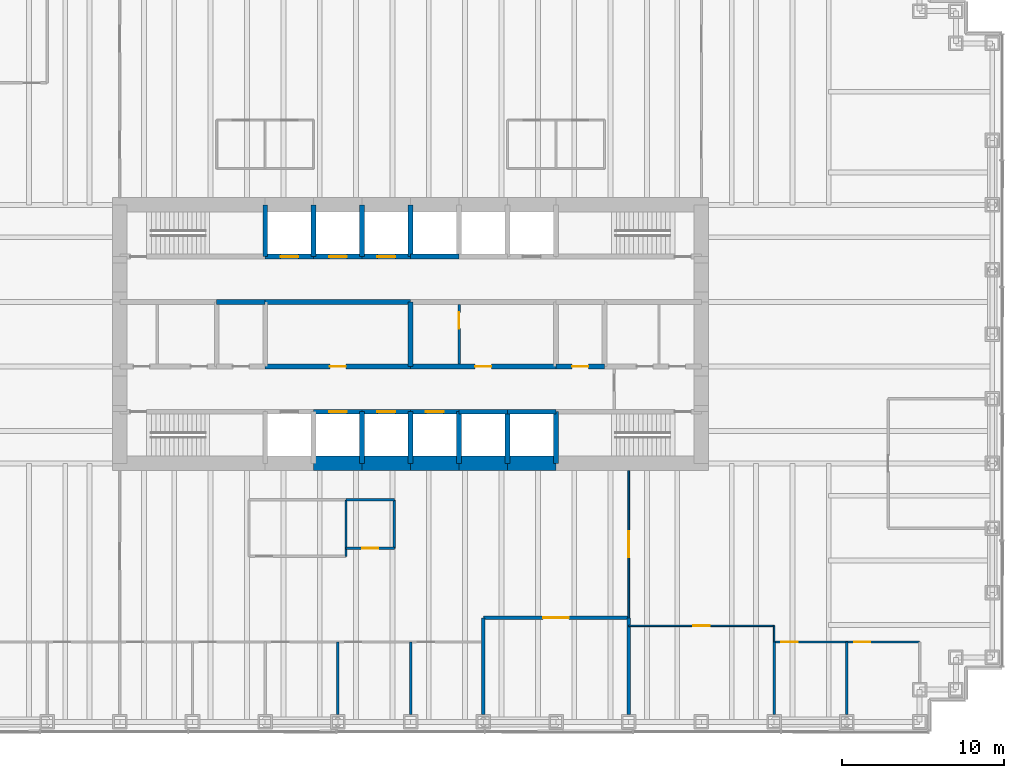
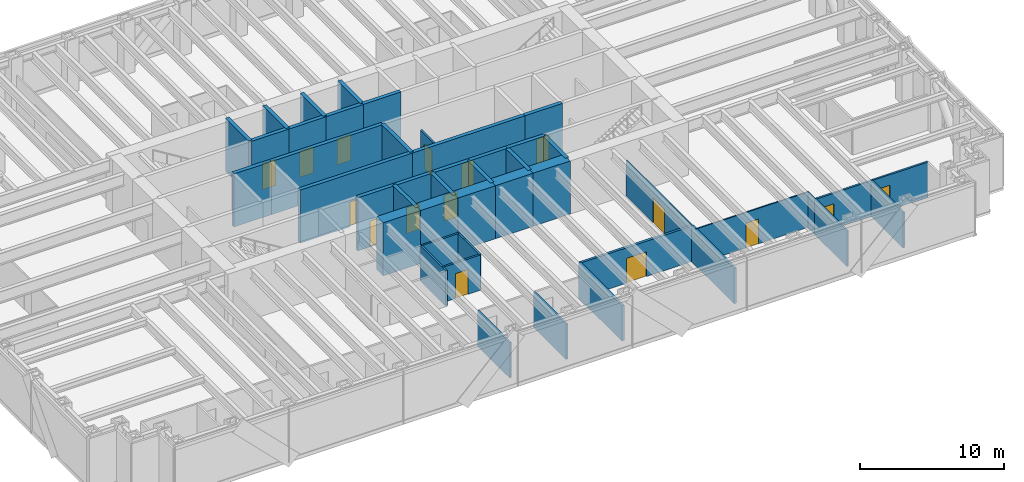
# One storey, part 10 of 13: 45 walls, 16 doors, 16 openings.
"""IFC4 building model written with IfcOpenShell, lengths in metres."""

from ifc_helpers import new_model, si_unit, direction, frame, frame_2d, origin, place, context, subcontext, project, spatial, rectangle, extrude, material, layer, layer_set, type_object, element, fill, save


model = new_model("IFC4")

# Units and contexts
model_context = context("Model", 3, precision=1e-05, world=origin(), true_north=direction((0.0, 1.0)))
body_context = subcontext(model_context, "Body", "Model", "MODEL_VIEW")
ifc_project = project(units=[si_unit("LENGTHUNIT", "METRE"), si_unit("AREAUNIT", "SQUARE_METRE"), si_unit("VOLUMEUNIT", "CUBIC_METRE"), si_unit("PLANEANGLEUNIT", "RADIAN"), si_unit("MASSUNIT", "GRAM", prefix="KILO")], contexts=[model_context])

# Site, building, storey
site_placement = place(None, origin())
site = spatial("IfcSite", under=ifc_project, at=site_placement, CompositionType="ELEMENT")
building_placement = place(site_placement, origin())
building = spatial("IfcBuilding", under=site, at=building_placement, Name="Rheinbord Bourse Tower", CompositionType="ELEMENT")
storey_placement = place(building_placement, frame((0.0, 0.0, 86.0)))
storey = spatial("IfcBuildingStorey", under=building, at=storey_placement, Name="L18", CompositionType="ELEMENT", Elevation=86.0)

# Wall, opening, door
ifc_material_1 = material(Name="Acoustic gypsum board partition", Category="gypsum board")
ifc_layer_1 = layer(ifc_material_1, 0.199951171875)
ifc_layer_set_1 = layer_set([ifc_layer_1], Name="ACOUSTIC PARTITION 200")
wall_type_1 = type_object("IfcWallType", Name="ACOUSTIC PARTITION 200", PredefinedType="PARTITIONING", material=ifc_layer_set_1)
wall_1_placement = place(storey_placement, frame((40.5, 6.449951171875, 0.0), z_axis=(0.0, 0.0, 1.0), x_axis=(1.0, 0.0, 0.0)))
wall_1 = element("IfcWall", 1, at=wall_1_placement, inside=storey, type_object=wall_type_1, Name="Partition L18-04", PredefinedType="PARTITIONING", context=body_context, shape_type="SweptSolid", body=[
    extrude(rectangle(XDim=9.0, YDim=0.199951171875, at=frame_2d((4.5, 0.0))), origin(), (0.0, 0.0, 1.0), 3.0),
])
opening_1_placement = place(wall_1_placement, frame((3.699951171875, 0.0, 0.0)))
opening_1 = element("IfcOpeningElement", 2, at=opening_1_placement, cuts=wall_1, Name="Opening 18D12", PredefinedType="OPENING", context=body_context, shape_type="SweptSolid", body=[
    extrude(rectangle(XDim=1.60009765625, YDim=2.10009765625, at=frame_2d((0.800048828125, 1.050048828125))), frame((0.0, 0.10986328125, 0.0), z_axis=(0.0, -1.0, 0.0), x_axis=(1.0, 0.0, 0.0)), (0.0, 0.0, 1.0), 0.219970703125),
])
ifc_material_2 = material(Name="Timber door", Category="wood")
door_type_1 = type_object("IfcDoorType", Name="DOUBLE ROOM DOOR 1600", OperationType="DOUBLE_DOOR_DOUBLE_SWING", PredefinedType="DOOR", material=ifc_material_2)
door_1_placement = place(opening_1_placement, origin())
door_1 = element("IfcDoor", 3, at=door_1_placement, inside=storey, type_object=door_type_1, Name="Broadcast studio door L18", OperationType="SINGLE_SWING_LEFT", OverallHeight=2.10009765625, OverallWidth=1.60009765625, PredefinedType="DOOR", context=body_context, shape_type="SweptSolid", body=[
    extrude(rectangle(XDim=1.60009765625, YDim=2.10009765625, at=frame_2d((0.800048828125, 1.050048828125))), frame((0.0, 0.02490234375, 0.0), z_axis=(0.0, -1.0, 0.0), x_axis=(1.0, 0.0, 0.0)), (0.0, 0.0, 1.0), 0.050048828125),
])
fill(opening_1, door_1)

# Walls
for number, where, z_axis, x_axis, name in (
    (4, (40.5, 0.449951171875, 0.0), (0.0, 0.0, 1.0), (0.0, 1.0, 0.0), "Partition L18-37"),
    (5, (49.5, 0.449951171875, 0.0), (0.0, 0.0, 1.0), (0.0, 1.0, 0.0), "Partition L18-41"),
):
    element("IfcWall", number, at=place(storey_placement, frame(where, z_axis=z_axis, x_axis=x_axis)), inside=storey, type_object=wall_type_1, Name=name, PredefinedType="PARTITIONING", context=body_context, shape_type="SweptSolid", body=[
        extrude(rectangle(XDim=6.0, YDim=0.199951171875, at=frame_2d((3.0, 0.0))), origin(), (0.0, 0.0, 1.0), 3.0),
    ])

# Wall, opening, door
ifc_material_3 = material(Name="Concrete C50/60", Category="concrete")
ifc_layer_2 = layer(ifc_material_3, 0.300048828125)
ifc_layer_set_2 = layer_set([ifc_layer_2], Name="CORE INNER WALL 300")
wall_type_2 = type_object("IfcWallType", Name="CORE INNER WALL 300", PredefinedType="SOLIDWALL", material=ifc_layer_set_2)
wall_2_placement = place(storey_placement, frame((30.0, 19.199951171875, 0.0), z_axis=(0.0, 0.0, 1.0), x_axis=(1.0, 0.0, 0.0)))
wall_2 = element("IfcWall", 6, at=wall_2_placement, inside=storey, type_object=wall_type_2, Name="Core wall A3 L18", PredefinedType="SOLIDWALL", context=body_context, shape_type="SweptSolid", body=[
    extrude(rectangle(XDim=3.0, YDim=0.300048828125, at=frame_2d((1.5, 0.0))), origin(), (0.0, 0.0, 1.0), 4.5),
])
opening_2_placement = place(wall_2_placement, frame((0.949951171875, 0.0, 0.0)))
opening_2 = element("IfcOpeningElement", 7, at=opening_2_placement, cuts=wall_2, Name="Opening PA1", PredefinedType="OPENING", context=body_context, shape_type="SweptSolid", body=[
    extrude(rectangle(XDim=1.10009765625, YDim=2.199951171875, at=frame_2d((0.550048828125, 1.10009765625))), frame((0.0, 0.159912109375, 0.0), z_axis=(0.0, -1.0, 0.0), x_axis=(1.0, 0.0, 0.0)), (0.0, 0.0, 1.0), 0.320068359375),
])
ifc_material_4 = material(Name="Steel landing door", Category="steel")
door_type_2 = type_object("IfcDoorType", Name="LIFT LANDING DOOR 1100", OperationType="DOUBLE_DOOR_SLIDING", PredefinedType="USERDEFINED", material=ifc_material_4)
door_2_placement = place(opening_2_placement, origin())
door_2 = element("IfcDoor", 8, at=door_2_placement, inside=storey, type_object=door_type_2, Name="Lift landing door PA1 L18", ObjectType="LIFT LANDING DOOR", OperationType="DOUBLE_DOOR_SLIDING", OverallHeight=2.199951171875, OverallWidth=1.10009765625, PredefinedType="USERDEFINED", context=body_context, shape_type="SweptSolid", body=[
    extrude(rectangle(XDim=1.10009765625, YDim=2.199951171875, at=frame_2d((0.550048828125, 1.10009765625))), frame((0.0, 0.02490234375, 0.0), z_axis=(0.0, -1.0, 0.0), x_axis=(1.0, 0.0, 0.0)), (0.0, 0.0, 1.0), 0.050048828125),
])
fill(opening_2, door_2)

wall_3_placement = place(storey_placement, frame((33.0, 19.199951171875, 0.0), z_axis=(0.0, 0.0, 1.0), x_axis=(1.0, 0.0, 0.0)))
wall_3 = element("IfcWall", 9, at=wall_3_placement, inside=storey, type_object=wall_type_2, Name="Core wall A4 L18", PredefinedType="SOLIDWALL", context=body_context, shape_type="SweptSolid", body=[
    extrude(rectangle(XDim=3.0, YDim=0.300048828125, at=frame_2d((1.5, 0.0))), origin(), (0.0, 0.0, 1.0), 4.5),
])
opening_3_placement = place(wall_3_placement, frame((0.949951171875, 0.0, 0.0)))
opening_3 = element("IfcOpeningElement", 10, at=opening_3_placement, cuts=wall_3, Name="Opening PA2", PredefinedType="OPENING", context=body_context, shape_type="SweptSolid", body=[
    extrude(rectangle(XDim=1.10009765625, YDim=2.199951171875, at=frame_2d((0.550048828125, 1.10009765625))), frame((0.0, 0.159912109375, 0.0), z_axis=(0.0, -1.0, 0.0), x_axis=(1.0, 0.0, 0.0)), (0.0, 0.0, 1.0), 0.320068359375),
])
door_3_placement = place(opening_3_placement, origin())
door_3 = element("IfcDoor", 11, at=door_3_placement, inside=storey, type_object=door_type_2, Name="Lift landing door PA2 L18", ObjectType="LIFT LANDING DOOR", OperationType="DOUBLE_DOOR_SLIDING", OverallHeight=2.199951171875, OverallWidth=1.10009765625, PredefinedType="USERDEFINED", context=body_context, shape_type="SweptSolid", body=[
    extrude(rectangle(XDim=1.10009765625, YDim=2.199951171875, at=frame_2d((0.550048828125, 1.10009765625))), frame((0.0, 0.02490234375, 0.0), z_axis=(0.0, -1.0, 0.0), x_axis=(1.0, 0.0, 0.0)), (0.0, 0.0, 1.0), 0.050048828125),
])
fill(opening_3, door_3)

wall_4_placement = place(storey_placement, frame((36.0, 19.199951171875, 0.0), z_axis=(0.0, 0.0, 1.0), x_axis=(1.0, 0.0, 0.0)))
wall_4 = element("IfcWall", 12, at=wall_4_placement, inside=storey, type_object=wall_type_2, Name="Core wall A5 L18", PredefinedType="SOLIDWALL", context=body_context, shape_type="SweptSolid", body=[
    extrude(rectangle(XDim=3.0, YDim=0.300048828125, at=frame_2d((1.5, 0.0))), origin(), (0.0, 0.0, 1.0), 4.5),
])
opening_4_placement = place(wall_4_placement, frame((0.949951171875, 0.0, 0.0)))
opening_4 = element("IfcOpeningElement", 13, at=opening_4_placement, cuts=wall_4, Name="Opening PA3", PredefinedType="OPENING", context=body_context, shape_type="SweptSolid", body=[
    extrude(rectangle(XDim=1.10009765625, YDim=2.199951171875, at=frame_2d((0.550048828125, 1.10009765625))), frame((0.0, 0.159912109375, 0.0), z_axis=(0.0, -1.0, 0.0), x_axis=(1.0, 0.0, 0.0)), (0.0, 0.0, 1.0), 0.320068359375),
])
door_4_placement = place(opening_4_placement, origin())
door_4 = element("IfcDoor", 14, at=door_4_placement, inside=storey, type_object=door_type_2, Name="Lift landing door PA3 L18", ObjectType="LIFT LANDING DOOR", OperationType="DOUBLE_DOOR_SLIDING", OverallHeight=2.199951171875, OverallWidth=1.10009765625, PredefinedType="USERDEFINED", context=body_context, shape_type="SweptSolid", body=[
    extrude(rectangle(XDim=1.10009765625, YDim=2.199951171875, at=frame_2d((0.550048828125, 1.10009765625))), frame((0.0, 0.02490234375, 0.0), z_axis=(0.0, -1.0, 0.0), x_axis=(1.0, 0.0, 0.0)), (0.0, 0.0, 1.0), 0.050048828125),
])
fill(opening_4, door_4)

# Walls
for number, where, z_axis, x_axis, name in (
    (15, (39.0, 19.199951171875, 0.0), (0.0, 0.0, 1.0), (1.0, 0.0, 0.0), "Core wall A6 L18"),
    (16, (42.0, 19.199951171875, 0.0), (0.0, 0.0, 1.0), (1.0, 0.0, 0.0), "Core wall A7 L18"),
):
    element("IfcWall", number, at=place(storey_placement, frame(where, z_axis=z_axis, x_axis=x_axis)), inside=storey, type_object=wall_type_2, Name=name, PredefinedType="SOLIDWALL", context=body_context, shape_type="SweptSolid", body=[
        extrude(rectangle(XDim=3.0, YDim=0.300048828125, at=frame_2d((1.5, 0.0))), origin(), (0.0, 0.0, 1.0), 4.5),
    ])

# Wall, opening, door
wall_5_placement = place(storey_placement, frame((27.0, 28.800048828125, 0.0), z_axis=(0.0, 0.0, 1.0), x_axis=(1.0, 0.0, 0.0)))
wall_5 = element("IfcWall", 17, at=wall_5_placement, inside=storey, type_object=wall_type_2, Name="Core wall B2 L18", PredefinedType="SOLIDWALL", context=body_context, shape_type="SweptSolid", body=[
    extrude(rectangle(XDim=3.0, YDim=0.300048828125, at=frame_2d((1.5, 0.0))), origin(), (0.0, 0.0, 1.0), 4.5),
])
opening_5_placement = place(wall_5_placement, frame((0.949951171875, 0.0, 0.0)))
opening_5 = element("IfcOpeningElement", 18, at=opening_5_placement, cuts=wall_5, Name="Opening GL1", PredefinedType="OPENING", context=body_context, shape_type="SweptSolid", body=[
    extrude(rectangle(XDim=1.10009765625, YDim=2.199951171875, at=frame_2d((0.550048828125, 1.10009765625))), frame((0.0, 0.159912109375, 0.0), z_axis=(0.0, -1.0, 0.0), x_axis=(1.0, 0.0, 0.0)), (0.0, 0.0, 1.0), 0.320068359375),
])
door_5_placement = place(opening_5_placement, origin())
door_5 = element("IfcDoor", 19, at=door_5_placement, inside=storey, type_object=door_type_2, Name="Lift landing door GL1 L18", ObjectType="LIFT LANDING DOOR", OperationType="DOUBLE_DOOR_SLIDING", OverallHeight=2.199951171875, OverallWidth=1.10009765625, PredefinedType="USERDEFINED", context=body_context, shape_type="SweptSolid", body=[
    extrude(rectangle(XDim=1.10009765625, YDim=2.199951171875, at=frame_2d((0.550048828125, 1.10009765625))), frame((0.0, 0.02490234375, 0.0), z_axis=(0.0, -1.0, 0.0), x_axis=(1.0, 0.0, 0.0)), (0.0, 0.0, 1.0), 0.050048828125),
])
fill(opening_5, door_5)

wall_6_placement = place(storey_placement, frame((30.0, 28.800048828125, 0.0), z_axis=(0.0, 0.0, 1.0), x_axis=(1.0, 0.0, 0.0)))
wall_6 = element("IfcWall", 20, at=wall_6_placement, inside=storey, type_object=wall_type_2, Name="Core wall B3 L18", PredefinedType="SOLIDWALL", context=body_context, shape_type="SweptSolid", body=[
    extrude(rectangle(XDim=3.0, YDim=0.300048828125, at=frame_2d((1.5, 0.0))), origin(), (0.0, 0.0, 1.0), 4.5),
])
opening_6_placement = place(wall_6_placement, frame((0.949951171875, 0.0, 0.0)))
opening_6 = element("IfcOpeningElement", 21, at=opening_6_placement, cuts=wall_6, Name="Opening PA4", PredefinedType="OPENING", context=body_context, shape_type="SweptSolid", body=[
    extrude(rectangle(XDim=1.10009765625, YDim=2.199951171875, at=frame_2d((0.550048828125, 1.10009765625))), frame((0.0, 0.159912109375, 0.0), z_axis=(0.0, -1.0, 0.0), x_axis=(1.0, 0.0, 0.0)), (0.0, 0.0, 1.0), 0.320068359375),
])
door_6_placement = place(opening_6_placement, origin())
door_6 = element("IfcDoor", 22, at=door_6_placement, inside=storey, type_object=door_type_2, Name="Lift landing door PA4 L18", ObjectType="LIFT LANDING DOOR", OperationType="DOUBLE_DOOR_SLIDING", OverallHeight=2.199951171875, OverallWidth=1.10009765625, PredefinedType="USERDEFINED", context=body_context, shape_type="SweptSolid", body=[
    extrude(rectangle(XDim=1.10009765625, YDim=2.199951171875, at=frame_2d((0.550048828125, 1.10009765625))), frame((0.0, 0.02490234375, 0.0), z_axis=(0.0, -1.0, 0.0), x_axis=(1.0, 0.0, 0.0)), (0.0, 0.0, 1.0), 0.050048828125),
])
fill(opening_6, door_6)

wall_7_placement = place(storey_placement, frame((33.0, 28.800048828125, 0.0), z_axis=(0.0, 0.0, 1.0), x_axis=(1.0, 0.0, 0.0)))
wall_7 = element("IfcWall", 23, at=wall_7_placement, inside=storey, type_object=wall_type_2, Name="Core wall B4 L18", PredefinedType="SOLIDWALL", context=body_context, shape_type="SweptSolid", body=[
    extrude(rectangle(XDim=3.0, YDim=0.300048828125, at=frame_2d((1.5, 0.0))), origin(), (0.0, 0.0, 1.0), 4.5),
])
opening_7_placement = place(wall_7_placement, frame((0.949951171875, 0.0, 0.0)))
opening_7 = element("IfcOpeningElement", 24, at=opening_7_placement, cuts=wall_7, Name="Opening PA5", PredefinedType="OPENING", context=body_context, shape_type="SweptSolid", body=[
    extrude(rectangle(XDim=1.10009765625, YDim=2.199951171875, at=frame_2d((0.550048828125, 1.10009765625))), frame((0.0, 0.159912109375, 0.0), z_axis=(0.0, -1.0, 0.0), x_axis=(1.0, 0.0, 0.0)), (0.0, 0.0, 1.0), 0.320068359375),
])
door_7_placement = place(opening_7_placement, origin())
door_7 = element("IfcDoor", 25, at=door_7_placement, inside=storey, type_object=door_type_2, Name="Lift landing door PA5 L18", ObjectType="LIFT LANDING DOOR", OperationType="DOUBLE_DOOR_SLIDING", OverallHeight=2.199951171875, OverallWidth=1.10009765625, PredefinedType="USERDEFINED", context=body_context, shape_type="SweptSolid", body=[
    extrude(rectangle(XDim=1.10009765625, YDim=2.199951171875, at=frame_2d((0.550048828125, 1.10009765625))), frame((0.0, 0.02490234375, 0.0), z_axis=(0.0, -1.0, 0.0), x_axis=(1.0, 0.0, 0.0)), (0.0, 0.0, 1.0), 0.050048828125),
])
fill(opening_7, door_7)

# Wall
wall_8_placement = place(storey_placement, frame((36.0, 28.800048828125, 0.0), z_axis=(0.0, 0.0, 1.0), x_axis=(1.0, 0.0, 0.0)))
element("IfcWall", 26, at=wall_8_placement, inside=storey, type_object=wall_type_2, Name="Core wall B5 L18", PredefinedType="SOLIDWALL", context=body_context, shape_type="SweptSolid", body=[
    extrude(rectangle(XDim=3.0, YDim=0.300048828125, at=frame_2d((1.5, 0.0))), origin(), (0.0, 0.0, 1.0), 4.5),
])

# Wall, opening, door
wall_9_placement = place(storey_placement, frame((27.0, 22.0, 0.0), z_axis=(0.0, 0.0, 1.0), x_axis=(1.0, 0.0, 0.0)))
wall_9 = element("IfcWall", 27, at=wall_9_placement, inside=storey, type_object=wall_type_2, Name="Core wall C3 L18", PredefinedType="SOLIDWALL", context=body_context, shape_type="SweptSolid", body=[
    extrude(rectangle(XDim=9.0, YDim=0.300048828125, at=frame_2d((4.5, 0.0))), origin(), (0.0, 0.0, 1.0), 4.5),
])
opening_8_placement = place(wall_9_placement, frame((4.0, 0.0, 0.0)))
opening_8 = element("IfcOpeningElement", 28, at=opening_8_placement, cuts=wall_9, Name="Opening 18R3", PredefinedType="OPENING", context=body_context, shape_type="SweptSolid", body=[
    extrude(rectangle(XDim=1.0, YDim=2.10009765625, at=frame_2d((0.5, 1.050048828125))), frame((0.0, 0.159912109375, 0.0), z_axis=(0.0, -1.0, 0.0), x_axis=(1.0, 0.0, 0.0)), (0.0, 0.0, 1.0), 0.320068359375),
])
ifc_material_5 = material(Name="Steel door", Category="steel")
door_type_3 = type_object("IfcDoorType", Name="DOOR 1000 EI30", OperationType="SINGLE_SWING_LEFT", PredefinedType="DOOR", material=ifc_material_5)
door_8_placement = place(opening_8_placement, origin())
door_8 = element("IfcDoor", 29, at=door_8_placement, inside=storey, type_object=door_type_3, Name="Riser door L18", OperationType="SINGLE_SWING_LEFT", OverallHeight=2.10009765625, OverallWidth=1.0, PredefinedType="DOOR", context=body_context, shape_type="SweptSolid", body=[
    extrude(rectangle(XDim=1.0, YDim=2.10009765625, at=frame_2d((0.5, 1.050048828125))), frame((0.0, 0.02490234375, 0.0), z_axis=(0.0, -1.0, 0.0), x_axis=(1.0, 0.0, 0.0)), (0.0, 0.0, 1.0), 0.050048828125),
])
fill(opening_8, door_8)

wall_10_placement = place(storey_placement, frame((36.0, 22.0, 0.0), z_axis=(0.0, 0.0, 1.0), x_axis=(1.0, 0.0, 0.0)))
wall_10 = element("IfcWall", 30, at=wall_10_placement, inside=storey, type_object=wall_type_2, Name="Core wall C4 L18", PredefinedType="SOLIDWALL", context=body_context, shape_type="SweptSolid", body=[
    extrude(rectangle(XDim=9.0, YDim=0.300048828125, at=frame_2d((4.5, 0.0))), origin(), (0.0, 0.0, 1.0), 4.5),
])
opening_9_placement = place(wall_10_placement, frame((4.0, 0.0, 0.0)))
opening_9 = element("IfcOpeningElement", 31, at=opening_9_placement, cuts=wall_10, Name="Opening 18R4", PredefinedType="OPENING", context=body_context, shape_type="SweptSolid", body=[
    extrude(rectangle(XDim=1.0, YDim=2.10009765625, at=frame_2d((0.5, 1.050048828125))), frame((0.0, 0.159912109375, 0.0), z_axis=(0.0, -1.0, 0.0), x_axis=(1.0, 0.0, 0.0)), (0.0, 0.0, 1.0), 0.320068359375),
])
door_9_placement = place(opening_9_placement, origin())
door_9 = element("IfcDoor", 32, at=door_9_placement, inside=storey, type_object=door_type_3, Name="Pantry door L18", OperationType="SINGLE_SWING_LEFT", OverallHeight=2.10009765625, OverallWidth=1.0, PredefinedType="DOOR", context=body_context, shape_type="SweptSolid", body=[
    extrude(rectangle(XDim=1.0, YDim=2.10009765625, at=frame_2d((0.5, 1.050048828125))), frame((0.0, 0.02490234375, 0.0), z_axis=(0.0, -1.0, 0.0), x_axis=(1.0, 0.0, 0.0)), (0.0, 0.0, 1.0), 0.050048828125),
])
fill(opening_9, door_9)

wall_11_placement = place(storey_placement, frame((45.0, 22.0, 0.0), z_axis=(0.0, 0.0, 1.0), x_axis=(1.0, 0.0, 0.0)))
wall_11 = element("IfcWall", 33, at=wall_11_placement, inside=storey, type_object=wall_type_2, Name="Core wall C5 L18", PredefinedType="SOLIDWALL", context=body_context, shape_type="SweptSolid", body=[
    extrude(rectangle(XDim=3.0, YDim=0.300048828125, at=frame_2d((1.5, 0.0))), origin(), (0.0, 0.0, 1.0), 4.5),
])
opening_10_placement = place(wall_11_placement, frame((1.0, 0.0, 0.0)))
opening_10 = element("IfcOpeningElement", 34, at=opening_10_placement, cuts=wall_11, Name="Opening 18R5", PredefinedType="OPENING", context=body_context, shape_type="SweptSolid", body=[
    extrude(rectangle(XDim=1.0, YDim=2.10009765625, at=frame_2d((0.5, 1.050048828125))), frame((0.0, 0.159912109375, 0.0), z_axis=(0.0, -1.0, 0.0), x_axis=(1.0, 0.0, 0.0)), (0.0, 0.0, 1.0), 0.320068359375),
])
ifc_material_6 = material(Name="Timber door", Category="wood")
door_type_4 = type_object("IfcDoorType", Name="DOOR 1000 WC", OperationType="SINGLE_SWING_LEFT", PredefinedType="DOOR", material=ifc_material_6)
door_10_placement = place(opening_10_placement, origin())
door_10 = element("IfcDoor", 35, at=door_10_placement, inside=storey, type_object=door_type_4, Name="Accessible WC door L18", OperationType="SINGLE_SWING_LEFT", OverallHeight=2.10009765625, OverallWidth=1.0, PredefinedType="DOOR", context=body_context, shape_type="SweptSolid", body=[
    extrude(rectangle(XDim=1.0, YDim=2.10009765625, at=frame_2d((0.5, 1.050048828125))), frame((0.0, 0.02490234375, 0.0), z_axis=(0.0, -1.0, 0.0), x_axis=(1.0, 0.0, 0.0)), (0.0, 0.0, 1.0), 0.050048828125),
])
fill(opening_10, door_10)

# Walls
wall_12_placement = place(storey_placement, frame((24.0, 26.0, 0.0), z_axis=(0.0, 0.0, 1.0), x_axis=(1.0, 0.0, 0.0)))
element("IfcWall", 36, at=wall_12_placement, inside=storey, type_object=wall_type_2, Name="Core wall D2 L18", PredefinedType="SOLIDWALL", context=body_context, shape_type="SweptSolid", body=[
    extrude(rectangle(XDim=3.0, YDim=0.300048828125, at=frame_2d((1.5, 0.0))), origin(), (0.0, 0.0, 1.0), 4.5),
])
wall_13_placement = place(storey_placement, frame((27.0, 26.0, 0.0), z_axis=(0.0, 0.0, 1.0), x_axis=(1.0, 0.0, 0.0)))
element("IfcWall", 37, at=wall_13_placement, inside=storey, type_object=wall_type_2, Name="Core wall D3 L18", PredefinedType="SOLIDWALL", context=body_context, shape_type="SweptSolid", body=[
    extrude(rectangle(XDim=9.0, YDim=0.300048828125, at=frame_2d((4.5, 0.0))), origin(), (0.0, 0.0, 1.0), 4.5),
])
for number, where, z_axis, x_axis, name in (
    (38, (27.0, 28.800048828125, 0.0), (0.0, 0.0, 1.0), (0.0, 1.0, 0.0), "Core wall NX27 L18"),
    (39, (30.0, 28.800048828125, 0.0), (0.0, 0.0, 1.0), (0.0, 1.0, 0.0), "Core wall NX30 L18"),
    (40, (33.0, 16.0, 0.0), (0.0, 0.0, 1.0), (0.0, 1.0, 0.0), "Core wall SX33 L18"),
    (41, (33.0, 28.800048828125, 0.0), (0.0, 0.0, 1.0), (0.0, 1.0, 0.0), "Core wall NX33 L18"),
    (42, (36.0, 16.0, 0.0), (0.0, 0.0, 1.0), (0.0, 1.0, 0.0), "Core wall SX36 L18"),
    (43, (36.0, 28.800048828125, 0.0), (0.0, 0.0, 1.0), (0.0, 1.0, 0.0), "Core wall NX36 L18"),
    (44, (39.0, 16.0, 0.0), (0.0, 0.0, 1.0), (0.0, 1.0, 0.0), "Core wall SX39 L18"),
    (45, (42.0, 16.0, 0.0), (0.0, 0.0, 1.0), (0.0, 1.0, 0.0), "Core wall SX42 L18"),
    (46, (45.0, 16.0, 0.0), (0.0, 0.0, 1.0), (0.0, 1.0, 0.0), "Core wall SX45 L18"),
):
    element("IfcWall", number, at=place(storey_placement, frame(where, z_axis=z_axis, x_axis=x_axis)), inside=storey, type_object=wall_type_2, Name=name, PredefinedType="SOLIDWALL", context=body_context, shape_type="SweptSolid", body=[
        extrude(rectangle(XDim=3.199951171875, YDim=0.300048828125, at=frame_2d((1.60009765625, 0.0))), origin(), (0.0, 0.0, 1.0), 4.5),
    ])
wall_14_placement = place(storey_placement, frame((36.0, 22.0, 0.0), z_axis=(0.0, 0.0, 1.0), x_axis=(0.0, 1.0, 0.0)))
element("IfcWall", 47, at=wall_14_placement, inside=storey, type_object=wall_type_2, Name="Core wall MX36 L18", PredefinedType="SOLIDWALL", context=body_context, shape_type="SweptSolid", body=[
    extrude(rectangle(XDim=4.0, YDim=0.300048828125, at=frame_2d((2.0, 0.0))), origin(), (0.0, 0.0, 1.0), 4.5),
])

# Wall, opening, door
ifc_material_7 = material(Name="Gypsum board fire partition", Category="gypsum board")
ifc_layer_3 = layer(ifc_material_7, 0.14990234375)
ifc_layer_set_3 = layer_set([ifc_layer_3], Name="CORE PARTITION 150 EI30")
wall_type_3 = type_object("IfcWallType", Name="CORE PARTITION 150 EI30", PredefinedType="PARTITIONING", material=ifc_layer_set_3)
wall_15_placement = place(storey_placement, frame((39.0, 22.14990234375, 0.0), z_axis=(0.0, 0.0, 1.0), x_axis=(0.0, 1.0, 0.0)))
wall_15 = element("IfcWall", 48, at=wall_15_placement, inside=storey, type_object=wall_type_3, Name="Core partition L18-1", PredefinedType="PARTITIONING", context=body_context, shape_type="SweptSolid", body=[
    extrude(rectangle(XDim=3.7001953125, YDim=0.14990234375, at=frame_2d((1.85009765625, 0.0))), origin(), (0.0, 0.0, 1.0), 3.0),
])
opening_11_placement = place(wall_15_placement, frame((2.199951171875, 0.0, 0.0)))
opening_11 = element("IfcOpeningElement", 49, at=opening_11_placement, cuts=wall_15, Name="Opening 18R7", PredefinedType="OPENING", context=body_context, shape_type="SweptSolid", body=[
    extrude(rectangle(XDim=1.0, YDim=2.10009765625, at=frame_2d((0.5, 1.050048828125))), frame((0.0, 0.0849609375, 0.0), z_axis=(0.0, -1.0, 0.0), x_axis=(1.0, 0.0, 0.0)), (0.0, 0.0, 1.0), 0.169921875),
])
door_11_placement = place(opening_11_placement, origin())
door_11 = element("IfcDoor", 50, at=door_11_placement, inside=storey, type_object=door_type_3, Name="Cleaner's store door L18", OperationType="SINGLE_SWING_RIGHT", OverallHeight=2.10009765625, OverallWidth=1.0, PredefinedType="DOOR", context=body_context, shape_type="SweptSolid", body=[
    extrude(rectangle(XDim=1.0, YDim=2.10009765625, at=frame_2d((0.5, 1.050048828125))), frame((0.0, 0.02490234375, 0.0), z_axis=(0.0, -1.0, 0.0), x_axis=(1.0, 0.0, 0.0)), (0.0, 0.0, 1.0), 0.050048828125),
])
fill(opening_11, door_11)

# Walls
ifc_material_8 = material(Name="Concrete C50/60", Category="concrete")
ifc_layer_4 = layer(ifc_material_8, 0.89990234375)
ifc_layer_set_4 = layer_set([ifc_layer_4], Name="CORE WALL 900")
wall_type_4 = type_object("IfcWallType", Name="CORE WALL 900", PredefinedType="SHEAR", material=ifc_layer_set_4)
for number, where, z_axis, x_axis, name in (
    (51, (30.0, 16.0, 0.0), (0.0, 0.0, 1.0), (1.0, 0.0, 0.0), "Core wall S3 L18"),
    (52, (33.0, 16.0, 0.0), (0.0, 0.0, 1.0), (1.0, 0.0, 0.0), "Core wall S4 L18"),
    (53, (36.0, 16.0, 0.0), (0.0, 0.0, 1.0), (1.0, 0.0, 0.0), "Core wall S5 L18"),
    (54, (39.0, 16.0, 0.0), (0.0, 0.0, 1.0), (1.0, 0.0, 0.0), "Core wall S6 L18"),
    (55, (42.0, 16.0, 0.0), (0.0, 0.0, 1.0), (1.0, 0.0, 0.0), "Core wall S7 L18"),
):
    element("IfcWall", number, at=place(storey_placement, frame(where, z_axis=z_axis, x_axis=x_axis)), inside=storey, type_object=wall_type_4, Name=name, PredefinedType="SHEAR", context=body_context, shape_type="SweptSolid", body=[
        extrude(rectangle(XDim=3.0, YDim=0.89990234375, at=frame_2d((1.5, 0.0))), origin(), (0.0, 0.0, 1.0), 4.5),
    ])
ifc_material_9 = material(Name="Gypsum board fire partition", Category="gypsum board")
ifc_layer_5 = layer(ifc_material_9, 0.14990234375)
ifc_layer_set_5 = layer_set([ifc_layer_5], Name="FIRE PARTITION 150 EI60")
wall_type_5 = type_object("IfcWallType", Name="FIRE PARTITION 150 EI60", PredefinedType="PARTITIONING", material=ifc_layer_set_5)
wall_16_placement = place(storey_placement, frame((32.0, 10.25, 0.0), z_axis=(0.0, 0.0, 1.0), x_axis=(0.0, 1.0, 0.0)))
element("IfcWall", 56, at=wall_16_placement, inside=storey, type_object=wall_type_5, Name="Partition L18-34", PredefinedType="PARTITIONING", context=body_context, shape_type="SweptSolid", body=[
    extrude(rectangle(XDim=3.5, YDim=0.14990234375, at=frame_2d((1.75, 0.0))), origin(), (0.0, 0.0, 1.0), 3.0),
])

# Wall, opening, door
ifc_material_10 = material(Name="Toughened laminated glass partition", Category="glass")
ifc_layer_6 = layer(ifc_material_10, 0.10009765625)
ifc_layer_set_6 = layer_set([ifc_layer_6], Name="GLAZED PARTITION 100")
wall_type_6 = type_object("IfcWallType", Name="GLAZED PARTITION 100", PredefinedType="PARTITIONING", material=ifc_layer_set_6)
wall_17_placement = place(storey_placement, frame((49.5, 5.949951171875, 0.0), z_axis=(0.0, 0.0, 1.0), x_axis=(1.0, 0.0, 0.0)))
wall_17 = element("IfcWall", 57, at=wall_17_placement, inside=storey, type_object=wall_type_6, Name="Partition L18-03", PredefinedType="PARTITIONING", context=body_context, shape_type="SweptSolid", body=[
    extrude(rectangle(XDim=9.0, YDim=0.10009765625, at=frame_2d((4.5, 0.0))), origin(), (0.0, 0.0, 1.0), 3.0),
])
opening_12_placement = place(wall_17_placement, frame((4.0, 0.0, 0.0)))
opening_12 = element("IfcOpeningElement", 58, at=opening_12_placement, cuts=wall_17, Name="Opening 18D11", PredefinedType="OPENING", context=body_context, shape_type="SweptSolid", body=[
    extrude(rectangle(XDim=1.0, YDim=2.10009765625, at=frame_2d((0.5, 1.050048828125))), frame((0.0, 0.06005859375, 0.0), z_axis=(0.0, -1.0, 0.0), x_axis=(1.0, 0.0, 0.0)), (0.0, 0.0, 1.0), 0.1201171875),
])
ifc_material_11 = material(Name="Timber door", Category="wood")
door_type_5 = type_object("IfcDoorType", Name="ROOM DOOR 1000", OperationType="SINGLE_SWING_LEFT", PredefinedType="DOOR", material=ifc_material_11)
door_12_placement = place(opening_12_placement, origin())
door_12 = element("IfcDoor", 59, at=door_12_placement, inside=storey, type_object=door_type_5, Name="Meeting room door L18", OperationType="SINGLE_SWING_LEFT", OverallHeight=2.10009765625, OverallWidth=1.0, PredefinedType="DOOR", context=body_context, shape_type="SweptSolid", body=[
    extrude(rectangle(XDim=1.0, YDim=2.10009765625, at=frame_2d((0.5, 1.050048828125))), frame((0.0, 0.02490234375, 0.0), z_axis=(0.0, -1.0, 0.0), x_axis=(1.0, 0.0, 0.0)), (0.0, 0.0, 1.0), 0.050048828125),
])
fill(opening_12, door_12)

wall_18_placement = place(storey_placement, frame((49.5, 6.449951171875, 0.0), z_axis=(0.0, 0.0, 1.0), x_axis=(0.0, 1.0, 0.0)))
wall_18 = element("IfcWall", 60, at=wall_18_placement, inside=storey, type_object=wall_type_6, Name="Partition L18-42", PredefinedType="PARTITIONING", context=body_context, shape_type="SweptSolid", body=[
    extrude(rectangle(XDim=9.10009765625, YDim=0.10009765625, at=frame_2d((4.550048828125, 0.0))), origin(), (0.0, 0.0, 1.0), 3.0),
])
opening_13_placement = place(wall_18_placement, frame((3.75, 0.0, 0.0)))
opening_13 = element("IfcOpeningElement", 61, at=opening_13_placement, cuts=wall_18, Name="Opening 18D25", PredefinedType="OPENING", context=body_context, shape_type="SweptSolid", body=[
    extrude(rectangle(XDim=1.60009765625, YDim=2.10009765625, at=frame_2d((0.800048828125, 1.050048828125))), frame((0.0, 0.06005859375, 0.0), z_axis=(0.0, -1.0, 0.0), x_axis=(1.0, 0.0, 0.0)), (0.0, 0.0, 1.0), 0.1201171875),
])
door_13_placement = place(opening_13_placement, origin())
door_13 = element("IfcDoor", 62, at=door_13_placement, inside=storey, type_object=door_type_1, Name="Open area door L18", OperationType="SINGLE_SWING_LEFT", OverallHeight=2.10009765625, OverallWidth=1.60009765625, PredefinedType="DOOR", context=body_context, shape_type="SweptSolid", body=[
    extrude(rectangle(XDim=1.60009765625, YDim=2.10009765625, at=frame_2d((0.800048828125, 1.050048828125))), frame((0.0, 0.02490234375, 0.0), z_axis=(0.0, -1.0, 0.0), x_axis=(1.0, 0.0, 0.0)), (0.0, 0.0, 1.0), 0.050048828125),
])
fill(opening_13, door_13)

# Wall
wall_19_placement = place(storey_placement, frame((58.5, 4.949951171875, 0.0), z_axis=(0.0, 0.0, 1.0), x_axis=(0.0, 1.0, 0.0)))
element("IfcWall", 63, at=wall_19_placement, inside=storey, type_object=wall_type_6, Name="Partition L18-45", PredefinedType="PARTITIONING", context=body_context, shape_type="SweptSolid", body=[
    extrude(rectangle(XDim=1.0, YDim=0.10009765625, at=frame_2d((0.5, 0.0))), origin(), (0.0, 0.0, 1.0), 3.0),
])

# Wall, openings, doors
ifc_material_12 = material(Name="Gypsum board partition", Category="gypsum board")
ifc_layer_7 = layer(ifc_material_12, 0.14990234375)
ifc_layer_set_7 = layer_set([ifc_layer_7], Name="PARTITION 150")
wall_type_7 = type_object("IfcWallType", Name="PARTITION 150", PredefinedType="PARTITIONING", material=ifc_layer_set_7)
wall_20_placement = place(storey_placement, frame((58.5, 4.949951171875, 0.0), z_axis=(0.0, 0.0, 1.0), x_axis=(1.0, 0.0, 0.0)))
wall_20 = element("IfcWall", 64, at=wall_20_placement, inside=storey, type_object=wall_type_7, Name="Partition L18-02", PredefinedType="PARTITIONING", context=body_context, shape_type="SweptSolid", body=[
    extrude(rectangle(XDim=9.0, YDim=0.14990234375, at=frame_2d((4.5, 0.0))), origin(), (0.0, 0.0, 1.0), 3.0),
])
opening_14_placement = place(wall_20_placement, frame((0.449951171875, 0.0, 0.0)))
opening_14 = element("IfcOpeningElement", 65, at=opening_14_placement, cuts=wall_20, Name="Opening 18D09", PredefinedType="OPENING", context=body_context, shape_type="SweptSolid", body=[
    extrude(rectangle(XDim=1.0, YDim=2.10009765625, at=frame_2d((0.5, 1.050048828125))), frame((0.0, 0.0849609375, 0.0), z_axis=(0.0, -1.0, 0.0), x_axis=(1.0, 0.0, 0.0)), (0.0, 0.0, 1.0), 0.169921875),
])
opening_15_placement = place(wall_20_placement, frame((4.949951171875, 0.0, 0.0)))
opening_15 = element("IfcOpeningElement", 66, at=opening_15_placement, cuts=wall_20, Name="Opening 18D10", PredefinedType="OPENING", context=body_context, shape_type="SweptSolid", body=[
    extrude(rectangle(XDim=1.0, YDim=2.10009765625, at=frame_2d((0.5, 1.050048828125))), frame((0.0, 0.0849609375, 0.0), z_axis=(0.0, -1.0, 0.0), x_axis=(1.0, 0.0, 0.0)), (0.0, 0.0, 1.0), 0.169921875),
])
door_14_placement = place(opening_14_placement, origin())
door_14 = element("IfcDoor", 67, at=door_14_placement, inside=storey, type_object=door_type_5, Name="Office door L18", OperationType="SINGLE_SWING_LEFT", OverallHeight=2.10009765625, OverallWidth=1.0, PredefinedType="DOOR", context=body_context, shape_type="SweptSolid", body=[
    extrude(rectangle(XDim=1.0, YDim=2.10009765625, at=frame_2d((0.5, 1.050048828125))), frame((0.0, 0.02490234375, 0.0), z_axis=(0.0, -1.0, 0.0), x_axis=(1.0, 0.0, 0.0)), (0.0, 0.0, 1.0), 0.050048828125),
])
fill(opening_14, door_14)
door_15_placement = place(opening_15_placement, origin())
door_15 = element("IfcDoor", 68, at=door_15_placement, inside=storey, type_object=door_type_5, Name="Office door L18", OperationType="SINGLE_SWING_RIGHT", OverallHeight=2.10009765625, OverallWidth=1.0, PredefinedType="DOOR", context=body_context, shape_type="SweptSolid", body=[
    extrude(rectangle(XDim=1.0, YDim=2.10009765625, at=frame_2d((0.5, 1.050048828125))), frame((0.0, 0.02490234375, 0.0), z_axis=(0.0, -1.0, 0.0), x_axis=(1.0, 0.0, 0.0)), (0.0, 0.0, 1.0), 0.050048828125),
])
fill(opening_15, door_15)

# Wall, opening, door
wall_21_placement = place(storey_placement, frame((32.0, 10.75, 0.0), z_axis=(0.0, 0.0, 1.0), x_axis=(1.0, 0.0, 0.0)))
wall_21 = element("IfcWall", 69, at=wall_21_placement, inside=storey, type_object=wall_type_7, Name="Partition L18-06", PredefinedType="PARTITIONING", context=body_context, shape_type="SweptSolid", body=[
    extrude(rectangle(XDim=3.0, YDim=0.14990234375, at=frame_2d((1.5, 0.0))), origin(), (0.0, 0.0, 1.0), 3.0),
])
opening_16_placement = place(wall_21_placement, frame((1.0, 0.0, 0.0)))
opening_16 = element("IfcOpeningElement", 70, at=opening_16_placement, cuts=wall_21, Name="Opening 18D14", PredefinedType="OPENING", context=body_context, shape_type="SweptSolid", body=[
    extrude(rectangle(XDim=1.0, YDim=2.10009765625, at=frame_2d((0.5, 1.050048828125))), frame((0.0, 0.0849609375, 0.0), z_axis=(0.0, -1.0, 0.0), x_axis=(1.0, 0.0, 0.0)), (0.0, 0.0, 1.0), 0.169921875),
])
door_16_placement = place(opening_16_placement, origin())
door_16 = element("IfcDoor", 71, at=door_16_placement, inside=storey, type_object=door_type_5, Name="Print room door L18", OperationType="SINGLE_SWING_LEFT", OverallHeight=2.10009765625, OverallWidth=1.0, PredefinedType="DOOR", context=body_context, shape_type="SweptSolid", body=[
    extrude(rectangle(XDim=1.0, YDim=2.10009765625, at=frame_2d((0.5, 1.050048828125))), frame((0.0, 0.02490234375, 0.0), z_axis=(0.0, -1.0, 0.0), x_axis=(1.0, 0.0, 0.0)), (0.0, 0.0, 1.0), 0.050048828125),
])
fill(opening_16, door_16)

# Walls
wall_22_placement = place(storey_placement, frame((32.0, 13.75, 0.0), z_axis=(0.0, 0.0, 1.0), x_axis=(1.0, 0.0, 0.0)))
element("IfcWall", 72, at=wall_22_placement, inside=storey, type_object=wall_type_7, Name="Partition L18-09", PredefinedType="PARTITIONING", context=body_context, shape_type="SweptSolid", body=[
    extrude(rectangle(XDim=3.0, YDim=0.14990234375, at=frame_2d((1.5, 0.0))), origin(), (0.0, 0.0, 1.0), 3.0),
])
wall_23_placement = place(storey_placement, frame((31.5, 0.449951171875, 0.0), z_axis=(0.0, 0.0, 1.0), x_axis=(0.0, 1.0, 0.0)))
element("IfcWall", 73, at=wall_23_placement, inside=storey, type_object=wall_type_7, Name="Partition L18-33", PredefinedType="PARTITIONING", context=body_context, shape_type="SweptSolid", body=[
    extrude(rectangle(XDim=4.5, YDim=0.14990234375, at=frame_2d((2.25, 0.0))), origin(), (0.0, 0.0, 1.0), 3.0),
])
wall_24_placement = place(storey_placement, frame((35.0, 10.75, 0.0), z_axis=(0.0, 0.0, 1.0), x_axis=(0.0, 1.0, 0.0)))
element("IfcWall", 74, at=wall_24_placement, inside=storey, type_object=wall_type_7, Name="Partition L18-35", PredefinedType="PARTITIONING", context=body_context, shape_type="SweptSolid", body=[
    extrude(rectangle(XDim=3.0, YDim=0.14990234375, at=frame_2d((1.5, 0.0))), origin(), (0.0, 0.0, 1.0), 3.0),
])
for number, where, z_axis, x_axis, name in (
    (75, (36.0, 0.449951171875, 0.0), (0.0, 0.0, 1.0), (0.0, 1.0, 0.0), "Partition L18-36"),
    (76, (58.5, 0.449951171875, 0.0), (0.0, 0.0, 1.0), (0.0, 1.0, 0.0), "Partition L18-44"),
    (77, (63.0, 0.449951171875, 0.0), (0.0, 0.0, 1.0), (0.0, 1.0, 0.0), "Partition L18-46"),
):
    element("IfcWall", number, at=place(storey_placement, frame(where, z_axis=z_axis, x_axis=x_axis)), inside=storey, type_object=wall_type_7, Name=name, PredefinedType="PARTITIONING", context=body_context, shape_type="SweptSolid", body=[
        extrude(rectangle(XDim=4.5, YDim=0.14990234375, at=frame_2d((2.25, 0.0))), origin(), (0.0, 0.0, 1.0), 3.0),
    ])

save(model, "model.ifc")
